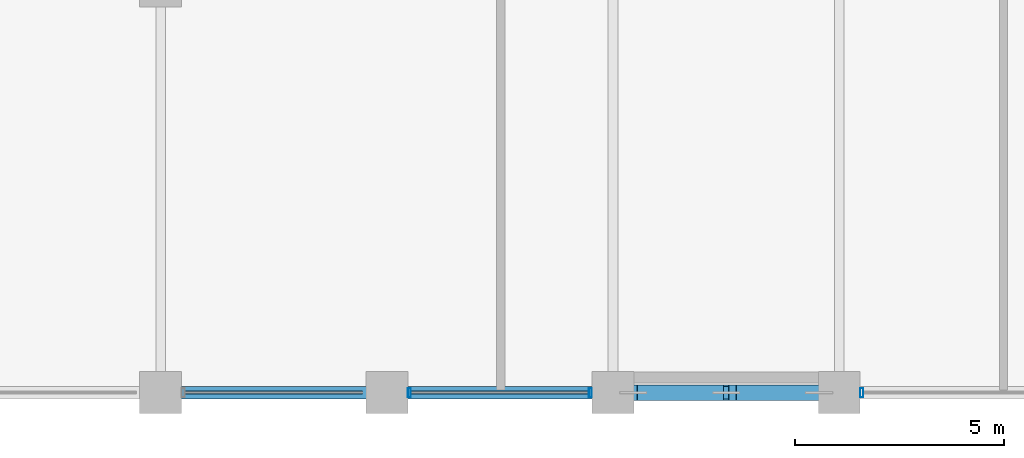
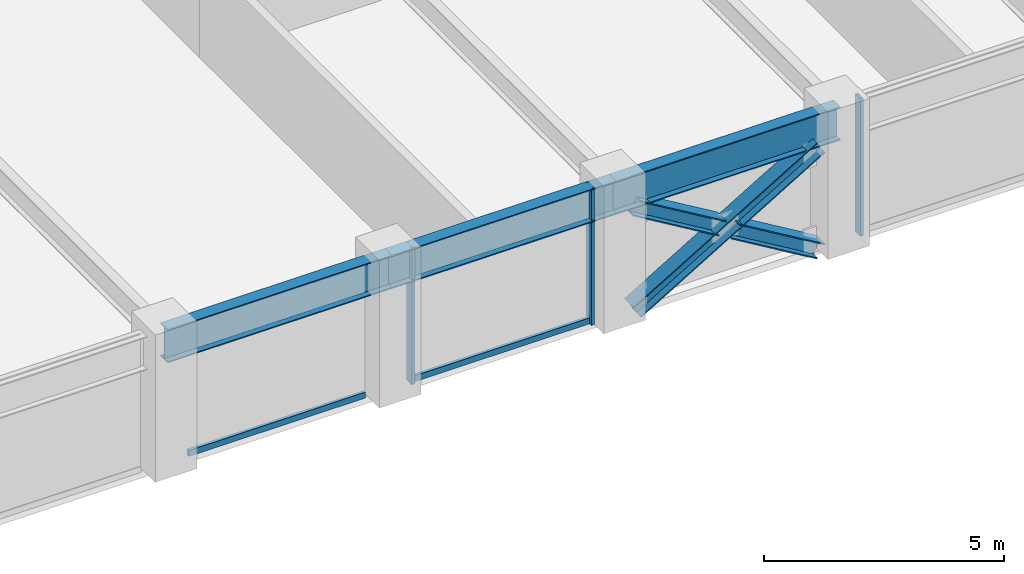
# One storey, part 3 of 29: 8 members, 3 beams, 2 elements without a shape of their own.
"""IFC4 building model written with IfcOpenShell, lengths in metres."""

from ifc_helpers import new_model, si_unit, direction, frame, origin, origin_2d, place, context, subcontext, project, spatial, hollow_rectangle, i_section, extrude, material, layer, layer_set, material_profile, profile_set, type_object, element, aggregate, save


model = new_model("IFC4")

# Units and contexts
model_context = context("Model", 3, precision=1e-05, world=origin(), true_north=direction((0.0, 1.0)))
body_context = subcontext(model_context, "Body", "Model", "MODEL_VIEW")
ifc_project = project(units=[si_unit("LENGTHUNIT", "METRE"), si_unit("AREAUNIT", "SQUARE_METRE"), si_unit("VOLUMEUNIT", "CUBIC_METRE"), si_unit("PLANEANGLEUNIT", "RADIAN"), si_unit("MASSUNIT", "GRAM", prefix="KILO")], contexts=[model_context])

# Site, building, storey
site_placement = place(None, origin())
site = spatial("IfcSite", under=ifc_project, at=site_placement, CompositionType="ELEMENT")
building_placement = place(site_placement, origin())
building = spatial("IfcBuilding", under=site, at=building_placement, Name="Surkhivell Harbour Commons", CompositionType="ELEMENT")
storey_placement = place(building_placement, frame((0.0, 0.0, 158.25)))
storey = spatial("IfcBuildingStorey", under=building, at=storey_placement, Name="L41", CompositionType="ELEMENT", Elevation=158.25)

# Beams
ifc_material_1 = material(Name="Steel S460", Category="steel")
ifc_material_profile_1 = material_profile(ifc_material_1, i_section(OverallWidth=0.2939453125, OverallDepth=0.85107421875, WebThickness=0.01611328125, FlangeThickness=0.02685546875, at=origin_2d()), Name="UB838x292x226")
ifc_profile_set_1 = profile_set([ifc_material_profile_1], Name="Steel S460")
beam_type = type_object("IfcBeamType", Name="BM-SPN-838", PredefinedType="SPANDREL", material=ifc_profile_set_1)
beam_1_placement = place(storey_placement, frame((-21.60009765625, -25.89990234375, 3.074462890625), z_axis=(1.0, 0.0, 0.0), x_axis=(0.0, 1.0, 0.0)))
element("IfcBeam", 1, at=beam_1_placement, inside=storey, type_object=beam_type, Name="L41 Tube Spandrel (-21.6,-25.9)", PredefinedType="SPANDREL", context=body_context, shape_type="SweptSolid", body=[
    extrude(i_section(OverallWidth=0.2939453125, OverallDepth=0.85107421875, WebThickness=0.01611328125, FlangeThickness=0.02685546875, at=origin_2d()), origin(), (0.0, 0.0, 1.0), 5.400146484375),
])
beam_2_placement = place(storey_placement, frame((-16.199951171875, -25.89990234375, 3.074462890625), z_axis=(1.0, 0.0, 0.0), x_axis=(0.0, 1.0, 0.0)))
element("IfcBeam", 2, at=beam_2_placement, inside=storey, type_object=beam_type, Name="L41 Tube Spandrel (-16.2,-25.9)", PredefinedType="SPANDREL", context=body_context, shape_type="SweptSolid", body=[
    extrude(i_section(OverallWidth=0.2939453125, OverallDepth=0.85107421875, WebThickness=0.01611328125, FlangeThickness=0.02685546875, at=origin_2d()), origin(), (0.0, 0.0, 1.0), 5.39990234375),
])
beam_3_placement = place(storey_placement, frame((-10.800048828125, -25.89990234375, 3.074462890625), z_axis=(1.0, 0.0, 0.0), x_axis=(0.0, 1.0, 0.0)))
element("IfcBeam", 3, at=beam_3_placement, inside=storey, type_object=beam_type, Name="L41 Tube Spandrel (-10.8,-25.9)", PredefinedType="SPANDREL", context=body_context, shape_type="SweptSolid", body=[
    extrude(i_section(OverallWidth=0.2939453125, OverallDepth=0.85107421875, WebThickness=0.01611328125, FlangeThickness=0.02685546875, at=origin_2d()), origin(), (0.0, 0.0, 1.0), 5.400146484375),
])

# Curtain wall, members
ifc_material_2 = material(Name="Anodised pale-metal aluminium and insulated glazing", Category="aluminium")
ifc_layer = layer(ifc_material_2, 0.205078125)
ifc_layer_set = layer_set([ifc_layer], Name="Anodised pale-metal aluminium and insulated glazing")
curtain_wall_type = type_object("IfcCurtainWallType", Name="CW-SYS-Z2", PredefinedType="NOTDEFINED", material=ifc_layer_set)
curtain_wall_1_placement = place(storey_placement, origin())
curtain_wall_1 = element("IfcCurtainWall", 4, at=curtain_wall_1_placement, inside=storey, type_object=curtain_wall_type, Name="L41 Curtain Wall CW-L41-E00S1", PredefinedType="NOTDEFINED")
ifc_material_3 = material(Name="Anodised pale-metal aluminium alloy 6063-T6", Category="aluminium")
ifc_material_profile_2 = material_profile(ifc_material_3, hollow_rectangle(XDim=0.074951171875, YDim=0.219970703125, WallThickness=0.00390625, at=origin_2d()), Name="ALU-MULL-75x220")
ifc_profile_set_2 = profile_set([ifc_material_profile_2], Name="Anodised pale-metal aluminium alloy 6063-T6")
member_type_1 = type_object("IfcMemberType", Name="CWM-220", PredefinedType="MULLION", material=ifc_profile_set_2)
member_1_placement = place(storey_placement, frame((-15.660400390625, -25.89990234375, 0.0), z_axis=(0.0, 0.0, 1.0), x_axis=(1.0, 0.0, 0.0)))
member_1 = element("IfcMember", 5, at=member_1_placement, type_object=member_type_1, Name="CW-Z2 mullion 3", PredefinedType="MULLION", context=body_context, shape_type="SweptSolid", body=[
    extrude(hollow_rectangle(XDim=0.074951171875, YDim=0.219970703125, WallThickness=0.00390625, at=origin_2d()), origin(), (0.0, 0.0, 1.0), 3.5),
])
member_2_placement = place(storey_placement, frame((-11.339599609375, -25.89990234375, 0.0), z_axis=(0.0, 0.0, 1.0), x_axis=(1.0, 0.0, 0.0)))
member_2 = element("IfcMember", 6, at=member_2_placement, type_object=member_type_1, Name="CW-Z2 mullion 4", PredefinedType="MULLION", context=body_context, shape_type="SweptSolid", body=[
    extrude(hollow_rectangle(XDim=0.074951171875, YDim=0.219970703125, WallThickness=0.00390625, at=origin_2d()), origin(), (0.0, 0.0, 1.0), 3.5),
])

# Curtain wall, member
curtain_wall_2_placement = place(storey_placement, origin())
curtain_wall_2 = element("IfcCurtainWall", 7, at=curtain_wall_2_placement, inside=storey, type_object=curtain_wall_type, Name="L41 Curtain Wall CW-L41-E00S2", PredefinedType="NOTDEFINED")
member_3_placement = place(storey_placement, frame((-4.860595703125, -25.89990234375, 0.0), z_axis=(0.0, 0.0, 1.0), x_axis=(1.0, 0.0, 0.0)))
member_3 = element("IfcMember", 8, at=member_3_placement, type_object=member_type_1, Name="CW-Z2 mullion 1", PredefinedType="MULLION", context=body_context, shape_type="SweptSolid", body=[
    extrude(hollow_rectangle(XDim=0.074951171875, YDim=0.219970703125, WallThickness=0.00390625, at=origin_2d()), origin(), (0.0, 0.0, 1.0), 3.5),
])
aggregate(curtain_wall_2, [member_3])

# Member
ifc_material_profile_3 = material_profile(ifc_material_3, hollow_rectangle(XDim=0.074951171875, YDim=0.14990234375, WallThickness=0.00341796875, at=origin_2d()), Name="ALU-TRAN-75x150")
ifc_profile_set_3 = profile_set([ifc_material_profile_3], Name="Anodised pale-metal aluminium alloy 6063-T6")
member_type_2 = type_object("IfcMemberType", Name="CWT-150", PredefinedType="USERDEFINED", material=ifc_profile_set_3)
member_4_placement = place(storey_placement, frame((-21.02294921875, -25.89990234375, 0.074951171875), z_axis=(1.0, 0.0, 0.0), x_axis=(0.0, 1.0, 0.0)))
member_4 = element("IfcMember", 9, at=member_4_placement, type_object=member_type_2, Name="CW-Z2 transom 2.1", ObjectType="TRANSOM", PredefinedType="USERDEFINED", context=body_context, shape_type="SweptSolid", body=[
    extrude(hollow_rectangle(XDim=0.074951171875, YDim=0.14990234375, WallThickness=0.00341796875, at=origin_2d()), origin(), (0.0, 0.0, 1.0), 4.245849609375),
])

member_5_placement = place(storey_placement, frame((-15.623046875, -25.89990234375, 0.074951171875), z_axis=(1.0, 0.0, 0.0), x_axis=(0.0, 1.0, 0.0)))
member_5 = element("IfcMember", 10, at=member_5_placement, type_object=member_type_2, Name="CW-Z2 transom 3.1", ObjectType="TRANSOM", PredefinedType="USERDEFINED", context=body_context, shape_type="SweptSolid", body=[
    extrude(hollow_rectangle(XDim=0.074951171875, YDim=0.14990234375, WallThickness=0.00341796875, at=origin_2d()), origin(), (0.0, 0.0, 1.0), 4.24609375),
])

aggregate(curtain_wall_1, [member_4, member_1, member_2, member_5])

# Members
ifc_material_profile_4 = material_profile(ifc_material_1, i_section(OverallWidth=0.375, OverallDepth=0.375, WebThickness=0.0166015625, FlangeThickness=0.027099609375, at=origin_2d()), Name="UC356x368x202")
ifc_profile_set_4 = profile_set([ifc_material_profile_4], Name="Steel S460")
member_type_3 = type_object("IfcMemberType", Name="MEM-BRC-UC356", PredefinedType="BRACE", material=ifc_profile_set_4)
member_6_placement = place(storey_placement, frame((-10.31494140625, -25.89990234375, 0.008056640625), z_axis=(0.858597364881, 0.0, 0.512650529133), x_axis=(0.0, 1.0, 0.0)))
element("IfcMember", 11, at=member_6_placement, inside=storey, type_object=member_type_3, Name="L41 Perimeter Mega-Brace MB- 07", PredefinedType="BRACE", context=body_context, shape_type="SweptSolid", body=[
    extrude(i_section(OverallWidth=0.375, OverallDepth=0.375, WebThickness=0.0166015625, FlangeThickness=0.027099609375, at=origin_2d()), origin(), (0.0, 0.0, 1.0), 5.159423828125),
])
for number, where, z_axis, x_axis, name in (
    (12, (-5.885009765625, -25.89990234375, 0.008056640625), (-0.858612923928, 0.0, 0.51262446963), (0.0, -1.0, 0.0), "L41 Perimeter Mega-Brace MB- 08"),
    (13, (-8.25439453125, -25.89990234375, 1.4228515625), (-0.858612923928, 0.0, 0.51262446963), (0.0, -1.0, 0.0), "L41 Perimeter Mega-Brace MB- 09"),
):
    element("IfcMember", number, at=place(storey_placement, frame(where, z_axis=z_axis, x_axis=x_axis)), inside=storey, type_object=member_type_3, Name=name, PredefinedType="BRACE", context=body_context, shape_type="SweptSolid", body=[
        extrude(i_section(OverallWidth=0.375, OverallDepth=0.375, WebThickness=0.0166015625, FlangeThickness=0.027099609375, at=origin_2d()), origin(), (0.0, 0.0, 1.0), 2.39990234375),
    ])

save(model, "model.ifc")
